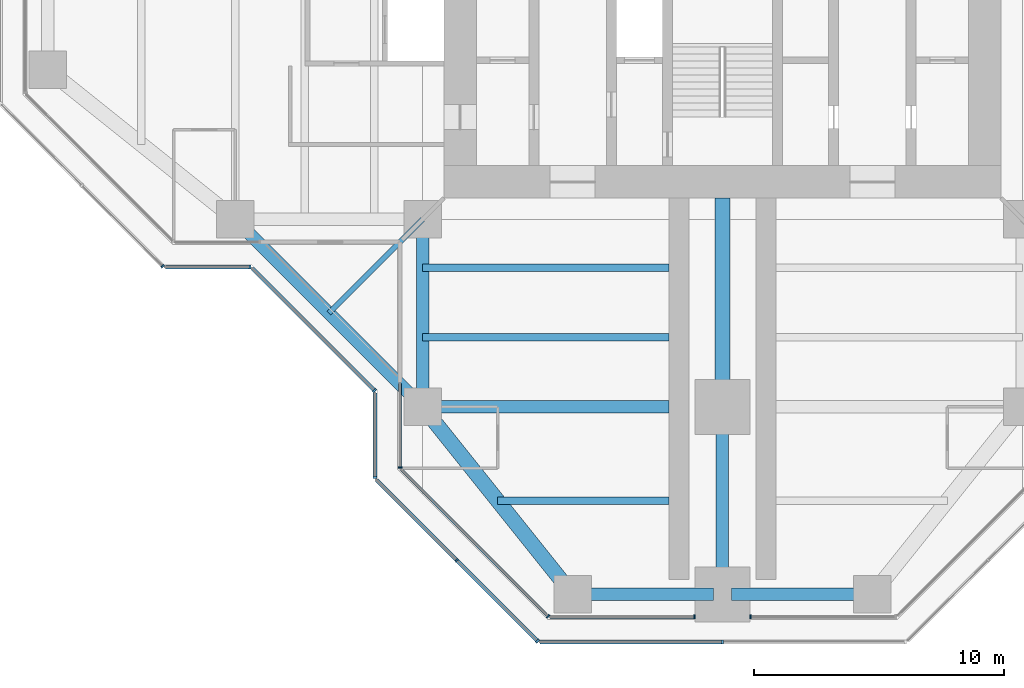
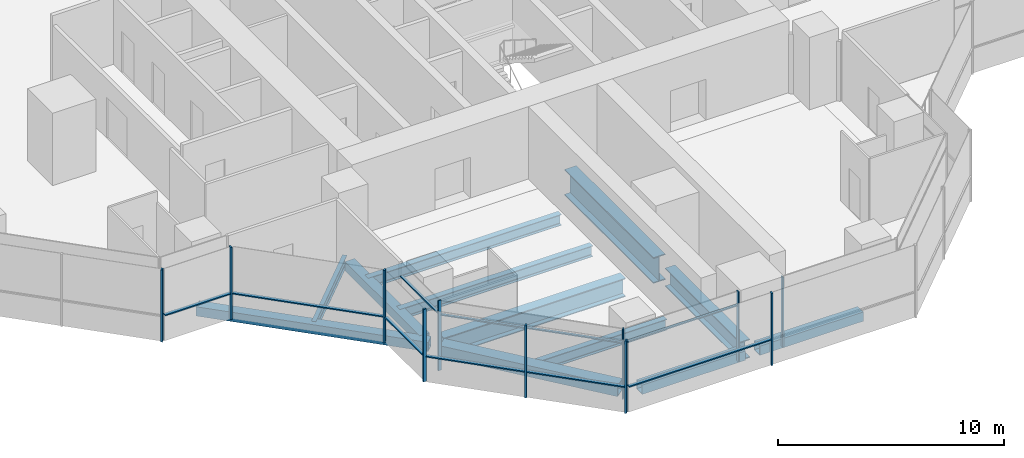
# One storey, part 2 of 17: 20 members, 12 beams, 10 elements without a shape of their own.
"""IFC4 building model written with IfcOpenShell, lengths in metres."""

from ifc_helpers import new_model, si_unit, direction, frame, origin, origin_2d, place, context, subcontext, project, spatial, rectangle, hollow_rectangle, i_section, extrude, material, material_profile, profile_set, type_object, element, aggregate, save


model = new_model("IFC4")

# Units and contexts
model_context = context("Model", 3, precision=1e-05, world=origin(), true_north=direction((0.0, 1.0)))
body_context = subcontext(model_context, "Body", "Model", "MODEL_VIEW")
ifc_project = project(units=[si_unit("LENGTHUNIT", "METRE"), si_unit("AREAUNIT", "SQUARE_METRE"), si_unit("VOLUMEUNIT", "CUBIC_METRE"), si_unit("PLANEANGLEUNIT", "RADIAN"), si_unit("MASSUNIT", "GRAM", prefix="KILO")], contexts=[model_context])

# Site, building, storey
site_placement = place(None, origin())
site = spatial("IfcSite", under=ifc_project, at=site_placement, CompositionType="ELEMENT")
building_placement = place(site_placement, origin())
building = spatial("IfcBuilding", under=site, at=building_placement, Name="Mizan Broadcast Tower", CompositionType="ELEMENT")
storey_placement = place(building_placement, frame((0.0, 0.0, 228.300048828125)))
storey = spatial("IfcBuildingStorey", under=building, at=storey_placement, Name="L53", CompositionType="ELEMENT", Elevation=228.300048828125)

# Beams
ifc_material_1 = material(Name="Steel S355", Category="steel")
ifc_material_profile_1 = material_profile(ifc_material_1, hollow_rectangle(XDim=0.5, YDim=0.5, WallThickness=0.030029296875, at=origin_2d()), Name="BOX 500x500x30")
ifc_profile_set_1 = profile_set([ifc_material_profile_1], Name="Steel S355")
beam_type_1 = type_object("IfcBeamType", Name="EDGE BEAM BOX 500x500x30", PredefinedType="SPANDREL", material=ifc_profile_set_1)
beam_1_placement = place(storey_placement, frame((-12.0, -12.449951171875, -0.380126953125), z_axis=(0.0, -1.0, 0.0), x_axis=(1.0, 0.0, 0.0)))
element("IfcBeam", 1, at=beam_1_placement, inside=storey, type_object=beam_type_1, Name="Edge beam BOX 500x500x30 L53 south arm", PredefinedType="SPANDREL", context=body_context, shape_type="SweptSolid", body=[
    extrude(hollow_rectangle(XDim=0.5, YDim=0.5, WallThickness=0.030029296875, at=origin_2d()), origin(), (0.0, 0.0, 1.0), 6.60009765625),
])
for number, where, z_axis, x_axis, name in (
    (2, (-5.639892578125, -27.0, -0.380126953125), (1.0, 0.0, 0.0), (0.0, 1.0, 0.0), "Edge beam BOX 500x500x30 L53 south arm"),
    (3, (5.639892578125, -27.0, -0.380126953125), (-1.0, 0.0, 0.0), (0.0, -1.0, 0.0), "Edge beam BOX 500x500x30 L53 south arm"),
):
    element("IfcBeam", number, at=place(storey_placement, frame(where, z_axis=z_axis, x_axis=x_axis)), inside=storey, type_object=beam_type_1, Name=name, PredefinedType="SPANDREL", context=body_context, shape_type="SweptSolid", body=[
        extrude(hollow_rectangle(XDim=0.5, YDim=0.5, WallThickness=0.030029296875, at=origin_2d()), origin(), (0.0, 0.0, 1.0), 5.27978515625),
    ])
beam_2_placement = place(storey_placement, frame((-19.5, -12.0, -0.380126953125), z_axis=(0.707106781187, -0.707106781187, 0.0), x_axis=(0.707106781187, 0.707106781187, 0.0)))
element("IfcBeam", 4, at=beam_2_placement, inside=storey, type_object=beam_type_1, Name="Winter garden edge beam L53 W", PredefinedType="SPANDREL", context=body_context, shape_type="SweptSolid", body=[
    extrude(hollow_rectangle(XDim=0.5, YDim=0.5, WallThickness=0.030029296875, at=origin_2d()), origin(), (0.0, 0.0, 1.0), 10.606689453125),
])
ifc_material_2 = material(Name="Steel S355", Category="steel")
ifc_material_profile_2 = material_profile(ifc_material_2, hollow_rectangle(XDim=0.60009765625, YDim=0.60009765625, WallThickness=0.030029296875, at=origin_2d()), Name="BOX 600x600x30")
ifc_profile_set_2 = profile_set([ifc_material_profile_2], Name="Steel S355")
beam_type_2 = type_object("IfcBeamType", Name="EDGE BEAM BOX 600x600x30", PredefinedType="SPANDREL", material=ifc_profile_set_2)
beam_3_placement = place(storey_placement, frame((-11.639892578125, -19.949951171875, -0.429931640625), z_axis=(0.624673911726, -0.780885717636, 0.0), x_axis=(0.780885717636, 0.624673911726, 0.0)))
element("IfcBeam", 5, at=beam_3_placement, inside=storey, type_object=beam_type_2, Name="Edge beam BOX 600x600x30 L53 south arm", PredefinedType="SPANDREL", context=body_context, shape_type="SweptSolid", body=[
    extrude(hollow_rectangle(XDim=0.60009765625, YDim=0.60009765625, WallThickness=0.030029296875, at=origin_2d()), origin(), (0.0, 0.0, 1.0), 8.4521484375),
])
ifc_material_3 = material(Name="Steel S460", Category="steel")
ifc_material_profile_3 = material_profile(ifc_material_3, i_section(OverallWidth=0.5, OverallDepth=1.0, WebThickness=0.02490234375, FlangeThickness=0.050048828125, at=origin_2d()), Name="WPG 1000x500")
ifc_profile_set_3 = profile_set([ifc_material_profile_3], Name="Steel S460")
beam_type_3 = type_object("IfcBeamType", Name="GIRDER WPG 1000x500", PredefinedType="BEAM", material=ifc_profile_set_3)
beam_4_placement = place(storey_placement, frame((0.0, -19.949951171875, -0.630126953125), z_axis=(0.0, -1.0, 0.0), x_axis=(1.0, 0.0, 0.0)))
element("IfcBeam", 6, at=beam_4_placement, inside=storey, type_object=beam_type_3, Name="Girder WPG 1000x500 L53 south arm", PredefinedType="BEAM", context=body_context, shape_type="SweptSolid", body=[
    extrude(i_section(OverallWidth=0.5, OverallDepth=1.0, WebThickness=0.02490234375, FlangeThickness=0.050048828125, at=origin_2d()), origin(), (0.0, 0.0, 1.0), 6.60009765625),
])
beam_5_placement = place(storey_placement, frame((-11.408935546875, -19.5, -0.630126953125), z_axis=(1.0, 0.0, 0.0), x_axis=(0.0, 1.0, 0.0)))
element("IfcBeam", 7, at=beam_5_placement, inside=storey, type_object=beam_type_3, Name="Girder WPG 1000x500 L53 south arm", PredefinedType="BEAM", context=body_context, shape_type="SweptSolid", body=[
    extrude(i_section(OverallWidth=0.5, OverallDepth=1.0, WebThickness=0.02490234375, FlangeThickness=0.050048828125, at=origin_2d()), origin(), (0.0, 0.0, 1.0), 9.259033203125),
])
ifc_material_4 = material(Name="Steel S460", Category="steel")
ifc_material_profile_4 = material_profile(ifc_material_4, i_section(OverallWidth=0.60009765625, OverallDepth=1.39990234375, WebThickness=0.02490234375, FlangeThickness=0.06005859375, at=origin_2d()), Name="WPG 1400x600")
ifc_profile_set_4 = profile_set([ifc_material_profile_4], Name="Steel S460")
beam_type_4 = type_object("IfcBeamType", Name="GIRDER WPG 1400x600", PredefinedType="BEAM", material=ifc_profile_set_4)
beam_6_placement = place(storey_placement, frame((0.0, -11.14990234375, -0.830078125), z_axis=(0.0, -1.0, 0.0), x_axis=(1.0, 0.0, 0.0)))
element("IfcBeam", 8, at=beam_6_placement, inside=storey, type_object=beam_type_4, Name="Girder WPG 1400x600 L53 south arm", PredefinedType="BEAM", context=body_context, shape_type="SweptSolid", body=[
    extrude(i_section(OverallWidth=0.60009765625, OverallDepth=1.39990234375, WebThickness=0.02490234375, FlangeThickness=0.06005859375, at=origin_2d()), origin(), (0.0, 0.0, 1.0), 7.84912109375),
])

# Curtain wall, member
ifc_material_5 = material(Name="Aluminium framed glazing", Category="aluminium")
curtain_wall_type_1 = type_object("IfcCurtainWallType", Name="INNER SKIN HIGH ZONE", PredefinedType="USERDEFINED", material=ifc_material_5)
curtain_wall_1_placement = place(storey_placement, origin())
curtain_wall_1 = element("IfcCurtainWall", 9, at=curtain_wall_1_placement, inside=storey, type_object=curtain_wall_type_1, Name="Inner skin high zone L53 S side", ObjectType="INNER SKIN HIGH ZONE", PredefinedType="USERDEFINED")
ifc_material_6 = material(Name="Aluminium, pale anodised", Category="aluminium")
ifc_material_profile_5 = material_profile(ifc_material_6, rectangle(XDim=0.159912109375, YDim=0.06005859375, at=origin_2d()), Name="MULLION 160x60")
ifc_profile_set_5 = profile_set([ifc_material_profile_5], Name="Aluminium, pale anodised")
member_type_1 = type_object("IfcMemberType", Name="INNER SKIN MULLION 60x160", PredefinedType="MULLION", material=ifc_profile_set_5)
member_1_placement = place(storey_placement, frame((-12.89990234375, -21.928466796875, 0.0), z_axis=(0.0, 0.0, 1.0), x_axis=(1.0, 0.0, 0.0)))
member_1 = element("IfcMember", 10, at=member_1_placement, type_object=member_type_1, Name="Inner skin high zone L53 S side mullion 2", PredefinedType="MULLION", context=body_context, shape_type="SweptSolid", body=[
    extrude(rectangle(XDim=0.159912109375, YDim=0.06005859375, at=origin_2d()), origin(), (0.0, 0.0, 1.0), 3.77001953125),
])

curtain_wall_2_placement = place(storey_placement, origin())
curtain_wall_2 = element("IfcCurtainWall", 11, at=curtain_wall_2_placement, inside=storey, type_object=curtain_wall_type_1, Name="Inner skin high zone L53 S chamfer", ObjectType="INNER SKIN HIGH ZONE", PredefinedType="USERDEFINED")
member_2_placement = place(storey_placement, frame((-6.979736328125, -27.87890625, 0.0), z_axis=(0.0, 0.0, 1.0), x_axis=(0.707106781187, 0.707106781187, 0.0)))
member_2 = element("IfcMember", 12, at=member_2_placement, type_object=member_type_1, Name="Inner skin high zone L53 S chamfer mullion 2", PredefinedType="MULLION", context=body_context, shape_type="SweptSolid", body=[
    extrude(rectangle(XDim=0.159912109375, YDim=0.06005859375, at=origin_2d()), origin(), (0.0, 0.0, 1.0), 3.77001953125),
])

curtain_wall_3_placement = place(storey_placement, origin())
curtain_wall_3 = element("IfcCurtainWall", 13, at=curtain_wall_3_placement, inside=storey, type_object=curtain_wall_type_1, Name="Inner skin high zone L53 S end", ObjectType="INNER SKIN HIGH ZONE", PredefinedType="USERDEFINED")
member_3_placement = place(storey_placement, frame((-1.1298828125, -27.89990234375, 0.0), z_axis=(0.0, 0.0, 1.0), x_axis=(0.0, 1.0, 0.0)))
member_3 = element("IfcMember", 14, at=member_3_placement, type_object=member_type_1, Name="Inner skin high zone L53 S end mullion 2", PredefinedType="MULLION", context=body_context, shape_type="SweptSolid", body=[
    extrude(rectangle(XDim=0.159912109375, YDim=0.06005859375, at=origin_2d()), origin(), (0.0, 0.0, 1.0), 3.77001953125),
])

curtain_wall_4_placement = place(storey_placement, origin())
curtain_wall_4 = element("IfcCurtainWall", 15, at=curtain_wall_4_placement, inside=storey, type_object=curtain_wall_type_1, Name="Inner skin high zone L53 S end", ObjectType="INNER SKIN HIGH ZONE", PredefinedType="USERDEFINED")
member_4_placement = place(storey_placement, frame((1.1298828125, -27.89990234375, 0.0), z_axis=(0.0, 0.0, 1.0), x_axis=(0.0, 1.0, 0.0)))
member_4 = element("IfcMember", 16, at=member_4_placement, type_object=member_type_1, Name="Inner skin high zone L53 S end mullion 1", PredefinedType="MULLION", context=body_context, shape_type="SweptSolid", body=[
    extrude(rectangle(XDim=0.159912109375, YDim=0.06005859375, at=origin_2d()), origin(), (0.0, 0.0, 1.0), 3.77001953125),
])
aggregate(curtain_wall_4, [member_4])

# Member
ifc_material_7 = material(Name="Aluminium, pale anodised", Category="aluminium")
ifc_material_profile_6 = material_profile(ifc_material_7, rectangle(XDim=0.1201171875, YDim=0.06005859375, at=origin_2d()), Name="TRANSOM 120x60")
ifc_profile_set_6 = profile_set([ifc_material_profile_6], Name="Aluminium, pale anodised")
member_type_2 = type_object("IfcMemberType", Name="INNER SKIN TRANSOM 60x120", PredefinedType="USERDEFINED", material=ifc_profile_set_6)
member_5_placement = place(storey_placement, frame((-12.89990234375, -18.56005859375, 3.030029296875), z_axis=(0.0, -1.0, 0.0), x_axis=(1.0, 0.0, 0.0)))
member_5 = element("IfcMember", 17, at=member_5_placement, type_object=member_type_2, Name="Inner skin high zone L53 S side transom 1.1", ObjectType="TRANSOM", PredefinedType="USERDEFINED", context=body_context, shape_type="SweptSolid", body=[
    extrude(rectangle(XDim=0.1201171875, YDim=0.06005859375, at=origin_2d()), origin(), (0.0, 0.0, 1.0), 3.338623046875),
])

aggregate(curtain_wall_1, [member_1, member_5])

member_6_placement = place(storey_placement, frame((-12.857666015625, -22.0009765625, 3.030029296875), z_axis=(0.707106781187, -0.707106781187, 0.0), x_axis=(0.707106781187, 0.707106781187, 0.0)))
member_6 = element("IfcMember", 18, at=member_6_placement, type_object=member_type_2, Name="Inner skin high zone L53 S chamfer transom 1.1", ObjectType="TRANSOM", PredefinedType="USERDEFINED", context=body_context, shape_type="SweptSolid", body=[
    extrude(rectangle(XDim=0.1201171875, YDim=0.06005859375, at=origin_2d()), origin(), (0.0, 0.0, 1.0), 8.28271484375),
])

aggregate(curtain_wall_2, [member_2, member_6])

member_7_placement = place(storey_placement, frame((-6.898681640625, -27.89990234375, 3.030029296875), z_axis=(1.0, 0.0, 0.0), x_axis=(0.0, 1.0, 0.0)))
member_7 = element("IfcMember", 19, at=member_7_placement, type_object=member_type_2, Name="Inner skin high zone L53 S end transom 1.1", ObjectType="TRANSOM", PredefinedType="USERDEFINED", context=body_context, shape_type="SweptSolid", body=[
    extrude(rectangle(XDim=0.1201171875, YDim=0.06005859375, at=origin_2d()), origin(), (0.0, 0.0, 1.0), 5.73876953125),
])

aggregate(curtain_wall_3, [member_3, member_7])

# Curtain wall, member
ifc_material_8 = material(Name="Aluminium framed glazing", Category="aluminium")
curtain_wall_type_2 = type_object("IfcCurtainWallType", Name="OUTER SKIN", PredefinedType="USERDEFINED", material=ifc_material_8)
curtain_wall_5_placement = place(storey_placement, origin())
curtain_wall_5 = element("IfcCurtainWall", 20, at=curtain_wall_5_placement, inside=storey, type_object=curtain_wall_type_2, Name="Outer skin L53 W chamfer", ObjectType="OUTER SKIN", PredefinedType="USERDEFINED")
ifc_material_9 = material(Name="Aluminium, pale anodised", Category="aluminium")
ifc_material_profile_7 = material_profile(ifc_material_9, rectangle(XDim=0.159912109375, YDim=0.080078125, at=origin_2d()), Name="MULLION 160x80")
ifc_profile_set_7 = profile_set([ifc_material_profile_7], Name="Aluminium, pale anodised")
member_type_3 = type_object("IfcMemberType", Name="OUTER SKIN MULLION 80x160", PredefinedType="MULLION", material=ifc_profile_set_7)
member_8_placement = place(storey_placement, frame((-22.401123046875, -13.871826171875, 0.0), z_axis=(0.0, 0.0, 1.0), x_axis=(0.707106781187, 0.707106781187, 0.0)))
member_8 = element("IfcMember", 21, at=member_8_placement, type_object=member_type_3, Name="Outer skin L53 W chamfer mullion 3", PredefinedType="MULLION", context=body_context, shape_type="SweptSolid", body=[
    extrude(rectangle(XDim=0.159912109375, YDim=0.080078125, at=origin_2d()), origin(), (0.0, 0.0, 1.0), 3.89990234375),
])
aggregate(curtain_wall_5, [member_8])

curtain_wall_6_placement = place(storey_placement, origin())
curtain_wall_6 = element("IfcCurtainWall", 22, at=curtain_wall_6_placement, inside=storey, type_object=curtain_wall_type_2, Name="Outer skin L53 W side", ObjectType="OUTER SKIN", PredefinedType="USERDEFINED")
member_9_placement = place(storey_placement, frame((-18.912841796875, -13.89990234375, 0.0), z_axis=(0.0, 0.0, 1.0), x_axis=(0.0, 1.0, 0.0)))
member_9 = element("IfcMember", 23, at=member_9_placement, type_object=member_type_3, Name="Outer skin L53 W side mullion 2", PredefinedType="MULLION", context=body_context, shape_type="SweptSolid", body=[
    extrude(rectangle(XDim=0.159912109375, YDim=0.080078125, at=origin_2d()), origin(), (0.0, 0.0, 1.0), 3.89990234375),
])

curtain_wall_7_placement = place(storey_placement, origin())
curtain_wall_7 = element("IfcCurtainWall", 24, at=curtain_wall_7_placement, inside=storey, type_object=curtain_wall_type_2, Name="Outer skin L53 W chamfer", ObjectType="OUTER SKIN", PredefinedType="USERDEFINED")
member_10_placement = place(storey_placement, frame((-13.92822265625, -18.844482421875, 0.0), z_axis=(0.0, 0.0, 1.0), x_axis=(0.707106781187, 0.707106781187, 0.0)))
member_10 = element("IfcMember", 25, at=member_10_placement, type_object=member_type_3, Name="Outer skin L53 W chamfer mullion 2", PredefinedType="MULLION", context=body_context, shape_type="SweptSolid", body=[
    extrude(rectangle(XDim=0.159912109375, YDim=0.080078125, at=origin_2d()), origin(), (0.0, 0.0, 1.0), 3.89990234375),
])

curtain_wall_8_placement = place(storey_placement, origin())
curtain_wall_8 = element("IfcCurtainWall", 26, at=curtain_wall_8_placement, inside=storey, type_object=curtain_wall_type_2, Name="Outer skin L53 S side", ObjectType="OUTER SKIN", PredefinedType="USERDEFINED")
member_11_placement = place(storey_placement, frame((-13.89990234375, -22.332763671875, 0.0), z_axis=(0.0, 0.0, 1.0), x_axis=(1.0, 0.0, 0.0)))
member_11 = element("IfcMember", 27, at=member_11_placement, type_object=member_type_3, Name="Outer skin L53 S side mullion 2", PredefinedType="MULLION", context=body_context, shape_type="SweptSolid", body=[
    extrude(rectangle(XDim=0.159912109375, YDim=0.080078125, at=origin_2d()), origin(), (0.0, 0.0, 1.0), 3.89990234375),
])

# Curtain wall, members
curtain_wall_9_placement = place(storey_placement, origin())
curtain_wall_9 = element("IfcCurtainWall", 28, at=curtain_wall_9_placement, inside=storey, type_object=curtain_wall_type_2, Name="Outer skin L53 S chamfer", ObjectType="OUTER SKIN", PredefinedType="USERDEFINED")
member_12_placement = place(storey_placement, frame((-10.636474609375, -25.636474609375, 0.0), z_axis=(0.0, 0.0, 1.0), x_axis=(0.707106781187, 0.707106781187, 0.0)))
member_12 = element("IfcMember", 29, at=member_12_placement, type_object=member_type_3, Name="Outer skin L53 S chamfer mullion 2", PredefinedType="MULLION", context=body_context, shape_type="SweptSolid", body=[
    extrude(rectangle(XDim=0.159912109375, YDim=0.080078125, at=origin_2d()), origin(), (0.0, 0.0, 1.0), 3.89990234375),
])
member_13_placement = place(storey_placement, frame((-7.401123046875, -28.871826171875, 0.0), z_axis=(0.0, 0.0, 1.0), x_axis=(0.707106781187, 0.707106781187, 0.0)))
member_13 = element("IfcMember", 30, at=member_13_placement, type_object=member_type_3, Name="Outer skin L53 S chamfer mullion 3", PredefinedType="MULLION", context=body_context, shape_type="SweptSolid", body=[
    extrude(rectangle(XDim=0.159912109375, YDim=0.080078125, at=origin_2d()), origin(), (0.0, 0.0, 1.0), 3.89990234375),
])

# Curtain wall, member
curtain_wall_10_placement = place(storey_placement, origin())
curtain_wall_10 = element("IfcCurtainWall", 31, at=curtain_wall_10_placement, inside=storey, type_object=curtain_wall_type_2, Name="Outer skin L53 S end", ObjectType="OUTER SKIN", PredefinedType="USERDEFINED")
member_14_placement = place(storey_placement, frame((0.0, -28.89990234375, 0.0), z_axis=(0.0, 0.0, 1.0), x_axis=(0.0, 1.0, 0.0)))
member_14 = element("IfcMember", 32, at=member_14_placement, type_object=member_type_3, Name="Outer skin L53 S end mullion 2", PredefinedType="MULLION", context=body_context, shape_type="SweptSolid", body=[
    extrude(rectangle(XDim=0.159912109375, YDim=0.080078125, at=origin_2d()), origin(), (0.0, 0.0, 1.0), 3.89990234375),
])

# Member
ifc_material_10 = material(Name="Aluminium, pale anodised", Category="aluminium")
ifc_material_profile_8 = material_profile(ifc_material_10, rectangle(XDim=0.159912109375, YDim=0.06005859375, at=origin_2d()), Name="TRANSOM 160x60")
ifc_profile_set_8 = profile_set([ifc_material_profile_8], Name="Aluminium, pale anodised")
member_type_4 = type_object("IfcMemberType", Name="OUTER SKIN TRANSOM 60x160", PredefinedType="USERDEFINED", material=ifc_profile_set_8)
member_15_placement = place(storey_placement, frame((-22.292724609375, -13.89990234375, 1.39990234375), z_axis=(1.0, 0.0, 0.0), x_axis=(0.0, 1.0, 0.0)))
member_15 = element("IfcMember", 33, at=member_15_placement, type_object=member_type_4, Name="Outer skin L53 W side transom 1.1", ObjectType="TRANSOM", PredefinedType="USERDEFINED", context=body_context, shape_type="SweptSolid", body=[
    extrude(rectangle(XDim=0.159912109375, YDim=0.06005859375, at=origin_2d()), origin(), (0.0, 0.0, 1.0), 3.33984375),
])

aggregate(curtain_wall_6, [member_9, member_15])

member_16_placement = place(storey_placement, frame((-18.816162109375, -13.95654296875, 1.39990234375), z_axis=(0.707106781187, -0.707106781187, 0.0), x_axis=(0.707106781187, 0.707106781187, 0.0)))
member_16 = element("IfcMember", 34, at=member_16_placement, type_object=member_type_4, Name="Outer skin L53 W chamfer transom 1.1", ObjectType="TRANSOM", PredefinedType="USERDEFINED", context=body_context, shape_type="SweptSolid", body=[
    extrude(rectangle(XDim=0.159912109375, YDim=0.06005859375, at=origin_2d()), origin(), (0.0, 0.0, 1.0), 6.87255859375),
])

aggregate(curtain_wall_7, [member_10, member_16])

member_17_placement = place(storey_placement, frame((-13.89990234375, -18.952880859375, 1.39990234375), z_axis=(0.0, -1.0, 0.0), x_axis=(1.0, 0.0, 0.0)))
member_17 = element("IfcMember", 35, at=member_17_placement, type_object=member_type_4, Name="Outer skin L53 S side transom 1.1", ObjectType="TRANSOM", PredefinedType="USERDEFINED", context=body_context, shape_type="SweptSolid", body=[
    extrude(rectangle(XDim=0.159912109375, YDim=0.06005859375, at=origin_2d()), origin(), (0.0, 0.0, 1.0), 3.33984375),
])

aggregate(curtain_wall_8, [member_11, member_17])

member_18_placement = place(storey_placement, frame((-13.843505859375, -22.429443359375, 1.39990234375), z_axis=(0.707106781187, -0.707106781187, 0.0), x_axis=(0.707106781187, 0.707106781187, 0.0)))
member_18 = element("IfcMember", 36, at=member_18_placement, type_object=member_type_4, Name="Outer skin L53 S chamfer transom 1.1", ObjectType="TRANSOM", PredefinedType="USERDEFINED", context=body_context, shape_type="SweptSolid", body=[
    extrude(rectangle(XDim=0.159912109375, YDim=0.06005859375, at=origin_2d()), origin(), (0.0, 0.0, 1.0), 4.495361328125),
])

member_19_placement = place(storey_placement, frame((-10.608154296875, -25.664794921875, 1.39990234375), z_axis=(0.707106781187, -0.707106781187, 0.0), x_axis=(0.707106781187, 0.707106781187, 0.0)))
member_19 = element("IfcMember", 37, at=member_19_placement, type_object=member_type_4, Name="Outer skin L53 S chamfer transom 2.1", ObjectType="TRANSOM", PredefinedType="USERDEFINED", context=body_context, shape_type="SweptSolid", body=[
    extrude(rectangle(XDim=0.159912109375, YDim=0.06005859375, at=origin_2d()), origin(), (0.0, 0.0, 1.0), 4.495361328125),
])

aggregate(curtain_wall_9, [member_12, member_13, member_18, member_19])

member_20_placement = place(storey_placement, frame((-7.292724609375, -28.89990234375, 1.39990234375), z_axis=(1.0, 0.0, 0.0), x_axis=(0.0, 1.0, 0.0)))
member_20 = element("IfcMember", 38, at=member_20_placement, type_object=member_type_4, Name="Outer skin L53 S end transom 1.1", ObjectType="TRANSOM", PredefinedType="USERDEFINED", context=body_context, shape_type="SweptSolid", body=[
    extrude(rectangle(XDim=0.159912109375, YDim=0.06005859375, at=origin_2d()), origin(), (0.0, 0.0, 1.0), 7.252685546875),
])

aggregate(curtain_wall_10, [member_14, member_20])

# Beams
ifc_material_11 = material(Name="Steel S355", Category="steel")
ifc_material_profile_9 = material_profile(ifc_material_11, i_section(OverallWidth=0.300048828125, OverallDepth=0.590087890625, WebThickness=0.012939453125, FlangeThickness=0.02490234375, FilletRadius=0.027099609375, at=origin_2d()), Name="HEA 600")
ifc_profile_set_9 = profile_set([ifc_material_profile_9], Name="Steel S355")
beam_type_5 = type_object("IfcBeamType", Name="SECONDARY BEAM HEA 600", PredefinedType="JOIST", material=ifc_profile_set_9)
for number, where, z_axis, x_axis, name in (
    (39, (-12.0, -13.933349609375, -0.425048828125), (1.0, 0.0, 0.0), (0.0, 1.0, 0.0), "Secondary beam HEA 600 L53 south arm"),
    (40, (-12.0, -16.716552734375, -0.425048828125), (1.0, 0.0, 0.0), (0.0, 1.0, 0.0), "Secondary beam HEA 600 L53 south arm"),
):
    element("IfcBeam", number, at=place(storey_placement, frame(where, z_axis=z_axis, x_axis=x_axis)), inside=storey, type_object=beam_type_5, Name=name, PredefinedType="JOIST", context=body_context, shape_type="SweptSolid", body=[
        extrude(i_section(OverallWidth=0.300048828125, OverallDepth=0.590087890625, WebThickness=0.012939453125, FlangeThickness=0.02490234375, FilletRadius=0.027099609375, at=origin_2d()), origin(), (0.0, 0.0, 1.0), 9.85009765625),
    ])
beam_7_placement = place(storey_placement, frame((-9.0, -23.25, -0.425048828125), z_axis=(1.0, 0.0, 0.0), x_axis=(0.0, 1.0, 0.0)))
element("IfcBeam", 41, at=beam_7_placement, inside=storey, type_object=beam_type_5, Name="Secondary beam HEA 600 L53 south arm", PredefinedType="JOIST", context=body_context, shape_type="SweptSolid", body=[
    extrude(i_section(OverallWidth=0.300048828125, OverallDepth=0.590087890625, WebThickness=0.012939453125, FlangeThickness=0.02490234375, FilletRadius=0.027099609375, at=origin_2d()), origin(), (0.0, 0.0, 1.0), 6.85009765625),
])
ifc_material_12 = material(Name="Steel S355", Category="steel")
ifc_material_profile_10 = material_profile(ifc_material_12, i_section(OverallWidth=0.2099609375, OverallDepth=0.550048828125, WebThickness=0.010986328125, FlangeThickness=0.01708984375, FilletRadius=0.02392578125, at=origin_2d()), Name="IPE 550")
ifc_profile_set_10 = profile_set([ifc_material_profile_10], Name="Steel S355")
beam_type_6 = type_object("IfcBeamType", Name="SECONDARY BEAM IPE 550", PredefinedType="JOIST", material=ifc_profile_set_10)
beam_8_placement = place(storey_placement, frame((-12.0, -12.0, -0.405029296875), z_axis=(-0.707106781187, -0.707106781187, 0.0), x_axis=(0.707106781187, -0.707106781187, 0.0)))
element("IfcBeam", 42, at=beam_8_placement, inside=storey, type_object=beam_type_6, Name="Winter garden beam L53 W", PredefinedType="JOIST", context=body_context, shape_type="SweptSolid", body=[
    extrude(i_section(OverallWidth=0.2099609375, OverallDepth=0.550048828125, WebThickness=0.010986328125, FlangeThickness=0.01708984375, FilletRadius=0.02392578125, at=origin_2d()), origin(), (0.0, 0.0, 1.0), 5.30322265625),
])

save(model, "model.ifc")
